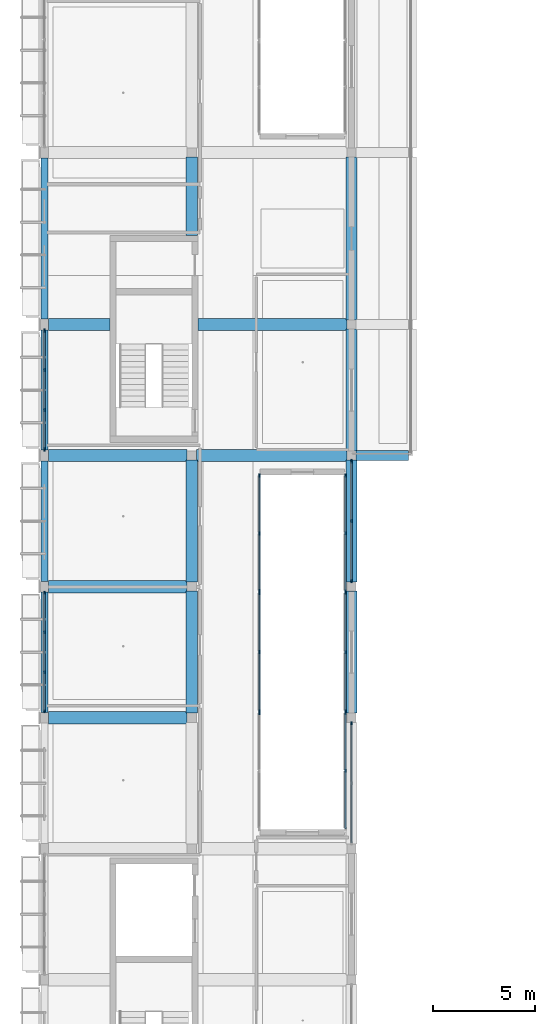
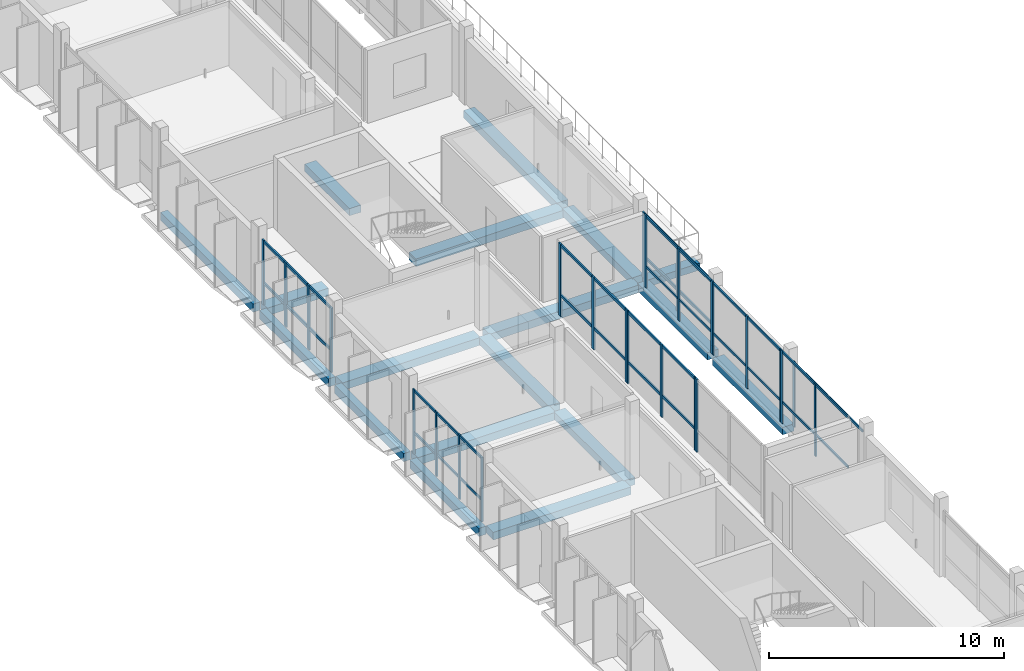
# One storey, part 4 of 48: 44 members, 18 beams, 10 elements without a shape of their own.
"""IFC4 building model written with IfcOpenShell, lengths in metres."""

import ifcopenshell
import ifcopenshell.guid

model = None  # the IFC model being written
_history = None  # IfcOwnerHistory: only IFC2X3 demands one
_inside = {}  # id of a spatial element -> (the spatial element, [elements in it])
_under = {}  # id of a project, library or spatial element -> (it, [spatial elements below it])
_declared = {}  # id of a project -> (the project, [libraries it declares])
_typed = {}  # id of a type object -> (the type object, [elements of that type])
_made_of = {}  # id of a material, layer set ... -> (it, [elements and type objects made of it])


def new_model(schema):
    """Start an empty IFC model of exactly this schema.

    Asked for "IFC4X3", IfcOpenShell would pick the latest addendum, in which some entities
    have other attributes; the version numbers below select the first issue.
    IFC2X3 requires an IfcOwnerHistory on every rooted entity: one is made here for all.
    """
    global model, _history
    if schema == "IFC4X3":
        model = ifcopenshell.file(schema_version=(4, 3, 0, 0))
    else:
        model = ifcopenshell.file(schema=schema)
    _inside.clear()
    _under.clear()
    _declared.clear()
    _typed.clear()
    _made_of.clear()
    _history = None
    if model.schema == "IFC2X3":
        org = make("IfcOrganization", Name="unknown")
        user = make(
            "IfcPersonAndOrganization",
            ThePerson=make("IfcPerson", FamilyName="unknown"),
            TheOrganization=org,
        )
        app = make(
            "IfcApplication",
            ApplicationDeveloper=org,
            Version="unknown",
            ApplicationFullName="unknown",
            ApplicationIdentifier="unknown",
        )
        _history = make(
            "IfcOwnerHistory",
            OwningUser=user,
            OwningApplication=app,
            ChangeAction="ADDED",
            CreationDate=0,
        )
    return model


def make(cls, **values):
    """One entity of the class cls with the attributes given. An attribute that is None is left unset."""
    return model.create_entity(
        cls, **{name: value for name, value in values.items() if value is not None}
    )


def rooted(cls, **values):
    """An entity with a GlobalId (a new one), such as an element, a storey or a relation."""
    return make(cls, GlobalId=ifcopenshell.guid.new(), OwnerHistory=_history, **values)


def si_unit(unit_type, name, prefix=None):
    """IfcSIUnit, for example si_unit("LENGTHUNIT", "METRE", prefix="MILLI")."""
    return make("IfcSIUnit", UnitType=unit_type, Prefix=prefix, Name=name)


def derived_unit(unit_type, elements):
    """IfcDerivedUnit: a product of units, each with its exponent."""
    return make(
        "IfcDerivedUnit",
        Elements=[
            make("IfcDerivedUnitElement", Unit=unit, Exponent=power)
            for unit, power in elements
        ],
        UnitType=unit_type,
    )


def assignment(units):
    """IfcUnitAssignment: the units of a project."""
    return None if units is None else make("IfcUnitAssignment", Units=units)


def point(xyz):
    """IfcCartesianPoint."""
    return None if xyz is None else make("IfcCartesianPoint", Coordinates=xyz)


def direction(xyz):
    """IfcDirection."""
    return None if xyz is None else make("IfcDirection", DirectionRatios=xyz)


def frame(location, z_axis=None, x_axis=None):
    """IfcAxis2Placement3D, a coordinate frame: its origin and axes. An axis left out is left unset."""
    return make(
        "IfcAxis2Placement3D",
        Location=point(location),
        Axis=direction(z_axis),
        RefDirection=direction(x_axis),
    )


def frame_2d(location, x_axis=None):
    """IfcAxis2Placement2D, a coordinate frame in the plane: its origin and x axis."""
    return make(
        "IfcAxis2Placement2D", Location=point(location), RefDirection=direction(x_axis)
    )


def origin():
    """The frame at (0, 0, 0) with its axes left unset."""
    return frame((0.0, 0.0, 0.0))


def origin_2d():
    """The frame at (0, 0) in the plane with its x axis left unset."""
    return frame_2d((0.0, 0.0))


def place(relative_to, where):
    """IfcLocalPlacement: puts the frame where relative to a parent placement (None: the world)."""
    return make(
        "IfcLocalPlacement", PlacementRelTo=relative_to, RelativePlacement=where
    )


def context(
    kind, dimensions, precision=None, world=None, true_north=None, identifier=None
):
    """IfcGeometricRepresentationContext, for example the 3D "Model" context."""
    return make(
        "IfcGeometricRepresentationContext",
        ContextIdentifier=identifier,
        ContextType=kind,
        CoordinateSpaceDimension=dimensions,
        Precision=precision,
        WorldCoordinateSystem=world,
        TrueNorth=true_north,
    )


def subcontext(parent, identifier, kind, view, scale=None):
    """IfcGeometricRepresentationSubContext, for example "Body" below "Model"."""
    return make(
        "IfcGeometricRepresentationSubContext",
        ContextIdentifier=identifier,
        ContextType=kind,
        ParentContext=parent,
        TargetScale=scale,
        TargetView=view,
    )


def project(units=None, contexts=None):
    """IfcProject with its units and contexts."""
    return rooted(
        "IfcProject",
        Name="project",
        RepresentationContexts=contexts,
        UnitsInContext=assignment(units),
    )


def spatial(cls, under=None, at=None, **own):
    """A site, building, storey or space (cls), placed at a placement, below another one or the project."""
    s = rooted(cls, ObjectPlacement=at, **own)
    if under is not None:
        _under.setdefault(under.id(), (under, []))[1].append(s)
    return s


def profile(cls, at=None, kind="AREA", **sizes):
    """A parametric profile (cls). Its sizes go by their IFC names, for example OverallWidth=200.0."""
    return make(cls, ProfileType=kind, Position=at, **sizes)


def rectangle(**sizes):
    """IfcRectangleProfileDef."""
    return profile("IfcRectangleProfileDef", **sizes)


def extrude(swept, where, along, depth):
    """IfcExtrudedAreaSolid: the profile swept, set in the frame where, extruded along a direction by depth."""
    return make(
        "IfcExtrudedAreaSolid",
        SweptArea=swept,
        Position=where,
        ExtrudedDirection=direction(along),
        Depth=depth,
    )


def shape(context_of_items, identifier, shape_type, items):
    """IfcShapeRepresentation: the items that make up one representation, for example the "Body"."""
    return make(
        "IfcShapeRepresentation",
        ContextOfItems=context_of_items,
        RepresentationIdentifier=identifier,
        RepresentationType=shape_type,
        Items=items,
    )


def material(Name=None, Category=None):
    """IfcMaterial."""
    return make("IfcMaterial", Name=Name, Category=Category)


def material_profile(
    of_material, cross_section, Name=None, Category=None, Priority=None
):
    """IfcMaterialProfile: a cross section and its material."""
    return make(
        "IfcMaterialProfile",
        Name=Name,
        Material=of_material,
        Profile=cross_section,
        Priority=Priority,
        Category=Category,
    )


def profile_set(profiles, Name=None, composite=None):
    """IfcMaterialProfileSet."""
    return make(
        "IfcMaterialProfileSet",
        Name=Name,
        MaterialProfiles=profiles,
        CompositeProfile=composite,
    )


def made_of(thing, what):
    """Note that an element or type object is made of a material, layer set ...; save() writes the relation."""
    if what is not None:
        _made_of.setdefault(what.id(), (what, []))[1].append(thing)
    return thing


def type_object(cls, material=None, **own):
    """A type object (cls), such as IfcWallType, which elements share."""
    return made_of(rooted(cls, **own), material)


def element(
    cls,
    number,
    at=None,
    inside=None,
    cuts=None,
    type_object=None,
    material=None,
    context=None,
    identifier="Body",
    shape_type=None,
    held_by="IfcProductDefinitionShape",
    body=None,
    shapes=None,
    **own,
):
    """One element of the class cls, such as IfcWall. Its Tag is "e" and its number.

    at: its placement. inside: the storey or other place that contains it. cuts: it is an
    opening in that element (IfcRelVoidsElement). A single representation is given by context,
    identifier, shape_type and body (its items); several are given by shapes. held_by: the class
    of the entity that holds the representations. save() writes the other relations.
    """
    e = rooted(cls, Tag="e%d" % number, ObjectPlacement=at, **own)
    if body is not None:
        shapes = [shape(context, identifier, shape_type, body)]
    if shapes is not None:
        e.Representation = make(held_by, Representations=shapes)
    if inside is not None:
        _inside.setdefault(inside.id(), (inside, []))[1].append(e)
    if cuts is not None:
        rooted(
            "IfcRelVoidsElement", RelatingBuildingElement=cuts, RelatedOpeningElement=e
        )
    if type_object is not None:
        _typed.setdefault(type_object.id(), (type_object, []))[1].append(e)
    return made_of(e, material)


def aggregate(whole, parts):
    """IfcRelAggregates: a whole, such as a stair, and the parts it consists of."""
    return rooted("IfcRelAggregates", RelatingObject=whole, RelatedObjects=parts)


def save(model, path):
    """Write the relations noted so far, then the file.

    IfcRelAggregates (storeys below a building ...), IfcRelContainedInSpatialStructure (elements
    in a storey), IfcRelDefinesByType, IfcRelAssociatesMaterial and IfcRelDeclares: one each for
    every whole, place, type object, material and project.
    """
    for whole, parts in _under.values():
        aggregate(whole, parts)
    for where, things in _inside.values():
        rooted(
            "IfcRelContainedInSpatialStructure",
            RelatedElements=things,
            RelatingStructure=where,
        )
    for kind, things in _typed.values():
        rooted("IfcRelDefinesByType", RelatedObjects=things, RelatingType=kind)
    for what, things in _made_of.values():
        rooted("IfcRelAssociatesMaterial", RelatedObjects=things, RelatingMaterial=what)
    for by, libraries in _declared.values():
        rooted("IfcRelDeclares", RelatingContext=by, RelatedDefinitions=libraries)
    model.write(path)


model = new_model("IFC4")

# Units and contexts
model_context = context("Model", 3, precision=1e-05, world=origin(), true_north=direction((0.0, 1.0)))
body_context = subcontext(model_context, "Body", "Model", "MODEL_VIEW")
ifc_project = project(units=[si_unit("LENGTHUNIT", "METRE"), si_unit("AREAUNIT", "SQUARE_METRE"), si_unit("VOLUMEUNIT", "CUBIC_METRE"), si_unit("PLANEANGLEUNIT", "RADIAN"), si_unit("MASSUNIT", "GRAM", prefix="KILO"), derived_unit("THERMALTRANSMITTANCEUNIT", [(si_unit("POWERUNIT", "WATT"), 1), (si_unit("LENGTHUNIT", "METRE"), -2), (si_unit("THERMODYNAMICTEMPERATUREUNIT", "KELVIN"), -1)])], contexts=[model_context])

# Site, building, storey
site_placement = place(None, origin())
site = spatial("IfcSite", under=ifc_project, at=site_placement, CompositionType="ELEMENT")
building_placement = place(site_placement, origin())
building = spatial("IfcBuilding", under=site, at=building_placement, Name="Braskholm Square Health Centre", CompositionType="ELEMENT")
storey_placement = place(building_placement, frame((0.0, 0.0, 17.550048828125)))
storey = spatial("IfcBuildingStorey", under=building, at=storey_placement, Name="L05", CompositionType="ELEMENT", Elevation=17.550048828125)

# Curtain wall, members
ifc_material_1 = material(Name="Low-E triple insulating glass (VLT 0.64)", Category="glass")
curtain_wall_type_1 = type_object("IfcCurtainWallType", Name="UnitisedCurtainWall6200x3650", PredefinedType="NOTDEFINED", material=ifc_material_1)
curtain_wall_1_placement = place(storey_placement, origin())
curtain_wall_1 = element("IfcCurtainWall", 1, at=curtain_wall_1_placement, inside=storey, type_object=curtain_wall_type_1, Name="West Outer unitised curtain wall CW-L05-0032", PredefinedType="NOTDEFINED")
ifc_material_2 = material(Name="Architectural bronze anodised aluminium", Category="aluminium")
ifc_material_profile_1 = material_profile(ifc_material_2, rectangle(XDim=0.06494140625, YDim=0.14990234375, at=origin_2d()), Name="ALU-65X150")
ifc_profile_set_1 = profile_set([ifc_material_profile_1], Name="Architectural bronze anodised aluminium")
member_type_1 = type_object("IfcMemberType", Name="CurtainWallMullion65x150", PredefinedType="MULLION", material=ifc_profile_set_1)
member_1_placement = place(storey_placement, frame((4.199951171875, 42.294921875, 0.0), z_axis=(0.0, 0.0, 1.0), x_axis=(1.0, 0.0, 0.0)))
member_1 = element("IfcMember", 2, at=member_1_placement, type_object=member_type_1, Name="CW-L05-0032 vertical mullion 1", PredefinedType="MULLION", context=body_context, shape_type="SweptSolid", body=[
    extrude(rectangle(XDim=0.06494140625, YDim=0.14990234375, at=origin_2d()), origin(), (0.0, 0.0, 1.0), 3.349853515625),
])
member_2_placement = place(storey_placement, frame((4.199951171875, 40.376708984375, 0.0), z_axis=(0.0, 0.0, 1.0), x_axis=(1.0, 0.0, 0.0)))
member_2 = element("IfcMember", 3, at=member_2_placement, type_object=member_type_1, Name="CW-L05-0032 vertical mullion 2", PredefinedType="MULLION", context=body_context, shape_type="SweptSolid", body=[
    extrude(rectangle(XDim=0.06494140625, YDim=0.14990234375, at=origin_2d()), origin(), (0.0, 0.0, 1.0), 3.349853515625),
])
member_3_placement = place(storey_placement, frame((4.199951171875, 38.42333984375, 0.0), z_axis=(0.0, 0.0, 1.0), x_axis=(1.0, 0.0, 0.0)))
member_3 = element("IfcMember", 4, at=member_3_placement, type_object=member_type_1, Name="CW-L05-0032 vertical mullion 3", PredefinedType="MULLION", context=body_context, shape_type="SweptSolid", body=[
    extrude(rectangle(XDim=0.06494140625, YDim=0.14990234375, at=origin_2d()), origin(), (0.0, 0.0, 1.0), 3.349853515625),
])
member_4_placement = place(storey_placement, frame((4.199951171875, 36.505126953125, 0.0), z_axis=(0.0, 0.0, 1.0), x_axis=(1.0, 0.0, 0.0)))
member_4 = element("IfcMember", 5, at=member_4_placement, type_object=member_type_1, Name="CW-L05-0032 vertical mullion 4", PredefinedType="MULLION", context=body_context, shape_type="SweptSolid", body=[
    extrude(rectangle(XDim=0.06494140625, YDim=0.14990234375, at=origin_2d()), origin(), (0.0, 0.0, 1.0), 3.349853515625),
])

# Curtain wall, member
curtain_wall_2_placement = place(storey_placement, origin())
curtain_wall_2 = element("IfcCurtainWall", 6, at=curtain_wall_2_placement, inside=storey, type_object=curtain_wall_type_1, Name="West Valley unitised curtain wall CW-L05-0104", PredefinedType="NOTDEFINED")
member_5_placement = place(storey_placement, frame((19.199951171875, 35.924560546875, 0.0), z_axis=(0.0, 0.0, 1.0), x_axis=(1.0, 0.0, 0.0)))
member_5 = element("IfcMember", 7, at=member_5_placement, type_object=member_type_1, Name="CW-L05-0104 vertical mullion 3", PredefinedType="MULLION", context=body_context, shape_type="SweptSolid", body=[
    extrude(rectangle(XDim=0.06494140625, YDim=0.14990234375, at=origin_2d()), origin(), (0.0, 0.0, 1.0), 3.389892578125),
])

# Curtain wall, members
curtain_wall_type_2 = type_object("IfcCurtainWallType", Name="UnitisedCurtainWall5400x3800", PredefinedType="NOTDEFINED", material=ifc_material_1)
curtain_wall_3_placement = place(storey_placement, origin())
curtain_wall_3 = element("IfcCurtainWall", 8, at=curtain_wall_3_placement, inside=storey, type_object=curtain_wall_type_2, Name="WC1 Court E unitised curtain wall CW-L05-0274", PredefinedType="NOTDEFINED")
member_6_placement = place(storey_placement, frame((18.89990234375, 36.427734375, 0.0), z_axis=(0.0, 0.0, 1.0), x_axis=(1.0, 0.0, 0.0)))
member_6 = element("IfcMember", 9, at=member_6_placement, type_object=member_type_1, Name="CW-L05-0274 vertical mullion 1", PredefinedType="MULLION", context=body_context, shape_type="SweptSolid", body=[
    extrude(rectangle(XDim=0.06494140625, YDim=0.14990234375, at=origin_2d()), origin(), (0.0, 0.0, 1.0), 3.77001953125),
])
member_7_placement = place(storey_placement, frame((18.89990234375, 33.60107421875, 0.0), z_axis=(0.0, 0.0, 1.0), x_axis=(1.0, 0.0, 0.0)))
member_7 = element("IfcMember", 10, at=member_7_placement, type_object=member_type_1, Name="CW-L05-0274 vertical mullion 2", PredefinedType="MULLION", context=body_context, shape_type="SweptSolid", body=[
    extrude(rectangle(XDim=0.06494140625, YDim=0.14990234375, at=origin_2d()), origin(), (0.0, 0.0, 1.0), 3.77001953125),
])

curtain_wall_type_3 = type_object("IfcCurtainWallType", Name="UnitisedCurtainWall6200x3800", PredefinedType="NOTDEFINED", material=ifc_material_1)
curtain_wall_4_placement = place(storey_placement, origin())
curtain_wall_4 = element("IfcCurtainWall", 11, at=curtain_wall_4_placement, inside=storey, type_object=curtain_wall_type_3, Name="WC1 Court E unitised curtain wall CW-L05-0276", PredefinedType="NOTDEFINED")
member_8_placement = place(storey_placement, frame((18.89990234375, 42.29296875, 0.0), z_axis=(0.0, 0.0, 1.0), x_axis=(1.0, 0.0, 0.0)))
member_8 = element("IfcMember", 12, at=member_8_placement, type_object=member_type_1, Name="CW-L05-0276 vertical mullion 1", PredefinedType="MULLION", context=body_context, shape_type="SweptSolid", body=[
    extrude(rectangle(XDim=0.06494140625, YDim=0.14990234375, at=origin_2d()), origin(), (0.0, 0.0, 1.0), 3.77001953125),
])
member_9_placement = place(storey_placement, frame((18.89990234375, 39.39990234375, 0.0), z_axis=(0.0, 0.0, 1.0), x_axis=(1.0, 0.0, 0.0)))
member_9 = element("IfcMember", 13, at=member_9_placement, type_object=member_type_1, Name="CW-L05-0276 vertical mullion 2", PredefinedType="MULLION", context=body_context, shape_type="SweptSolid", body=[
    extrude(rectangle(XDim=0.06494140625, YDim=0.14990234375, at=origin_2d()), origin(), (0.0, 0.0, 1.0), 3.77001953125),
])
member_10_placement = place(storey_placement, frame((18.89990234375, 36.507080078125, 0.0), z_axis=(0.0, 0.0, 1.0), x_axis=(1.0, 0.0, 0.0)))
member_10 = element("IfcMember", 14, at=member_10_placement, type_object=member_type_1, Name="CW-L05-0276 vertical mullion 3", PredefinedType="MULLION", context=body_context, shape_type="SweptSolid", body=[
    extrude(rectangle(XDim=0.06494140625, YDim=0.14990234375, at=origin_2d()), origin(), (0.0, 0.0, 1.0), 3.77001953125),
])

curtain_wall_5_placement = place(storey_placement, origin())
curtain_wall_5 = element("IfcCurtainWall", 15, at=curtain_wall_5_placement, inside=storey, type_object=curtain_wall_type_2, Name="WC1 Court E unitised curtain wall CW-L05-0278", PredefinedType="NOTDEFINED")
member_11_placement = place(storey_placement, frame((18.89990234375, 48.025634765625, 0.0), z_axis=(0.0, 0.0, 1.0), x_axis=(1.0, 0.0, 0.0)))
member_11 = element("IfcMember", 16, at=member_11_placement, type_object=member_type_1, Name="CW-L05-0278 vertical mullion 1", PredefinedType="MULLION", context=body_context, shape_type="SweptSolid", body=[
    extrude(rectangle(XDim=0.06494140625, YDim=0.14990234375, at=origin_2d()), origin(), (0.0, 0.0, 1.0), 3.77001953125),
])
member_12_placement = place(storey_placement, frame((18.89990234375, 45.198974609375, 0.0), z_axis=(0.0, 0.0, 1.0), x_axis=(1.0, 0.0, 0.0)))
member_12 = element("IfcMember", 17, at=member_12_placement, type_object=member_type_1, Name="CW-L05-0278 vertical mullion 2", PredefinedType="MULLION", context=body_context, shape_type="SweptSolid", body=[
    extrude(rectangle(XDim=0.06494140625, YDim=0.14990234375, at=origin_2d()), origin(), (0.0, 0.0, 1.0), 3.77001953125),
])
member_13_placement = place(storey_placement, frame((18.89990234375, 42.372314453125, 0.0), z_axis=(0.0, 0.0, 1.0), x_axis=(1.0, 0.0, 0.0)))
member_13 = element("IfcMember", 18, at=member_13_placement, type_object=member_type_1, Name="CW-L05-0278 vertical mullion 3", PredefinedType="MULLION", context=body_context, shape_type="SweptSolid", body=[
    extrude(rectangle(XDim=0.06494140625, YDim=0.14990234375, at=origin_2d()), origin(), (0.0, 0.0, 1.0), 3.77001953125),
])

curtain_wall_6_placement = place(storey_placement, origin())
curtain_wall_6 = element("IfcCurtainWall", 19, at=curtain_wall_6_placement, inside=storey, type_object=curtain_wall_type_1, Name="West Outer unitised curtain wall CW-L05-0033", PredefinedType="NOTDEFINED")
ifc_material_profile_2 = material_profile(ifc_material_2, rectangle(XDim=0.074951171875, YDim=0.179931640625, at=origin_2d()), Name="ALU-75X180")
ifc_profile_set_2 = profile_set([ifc_material_profile_2], Name="Architectural bronze anodised aluminium")
member_type_2 = type_object("IfcMemberType", Name="CurtainWallMullion75x180", PredefinedType="MULLION", material=ifc_profile_set_2)
member_14_placement = place(storey_placement, frame((4.199951171875, 55.0947265625, 0.0), z_axis=(0.0, 0.0, 1.0), x_axis=(1.0, 0.0, 0.0)))
member_14 = element("IfcMember", 20, at=member_14_placement, type_object=member_type_2, Name="CW-L05-0033 vertical mullion 1", PredefinedType="MULLION", context=body_context, shape_type="SweptSolid", body=[
    extrude(rectangle(XDim=0.074951171875, YDim=0.179931640625, at=origin_2d()), origin(), (0.0, 0.0, 1.0), 3.349853515625),
])
member_15_placement = place(storey_placement, frame((4.199951171875, 53.1767578125, 0.0), z_axis=(0.0, 0.0, 1.0), x_axis=(1.0, 0.0, 0.0)))
member_15 = element("IfcMember", 21, at=member_15_placement, type_object=member_type_2, Name="CW-L05-0033 vertical mullion 2", PredefinedType="MULLION", context=body_context, shape_type="SweptSolid", body=[
    extrude(rectangle(XDim=0.074951171875, YDim=0.179931640625, at=origin_2d()), origin(), (0.0, 0.0, 1.0), 3.349853515625),
])
member_16_placement = place(storey_placement, frame((4.199951171875, 51.223388671875, 0.0), z_axis=(0.0, 0.0, 1.0), x_axis=(1.0, 0.0, 0.0)))
member_16 = element("IfcMember", 22, at=member_16_placement, type_object=member_type_2, Name="CW-L05-0033 vertical mullion 3", PredefinedType="MULLION", context=body_context, shape_type="SweptSolid", body=[
    extrude(rectangle(XDim=0.074951171875, YDim=0.179931640625, at=origin_2d()), origin(), (0.0, 0.0, 1.0), 3.349853515625),
])
member_17_placement = place(storey_placement, frame((4.199951171875, 49.30517578125, 0.0), z_axis=(0.0, 0.0, 1.0), x_axis=(1.0, 0.0, 0.0)))
member_17 = element("IfcMember", 23, at=member_17_placement, type_object=member_type_2, Name="CW-L05-0033 vertical mullion 4", PredefinedType="MULLION", context=body_context, shape_type="SweptSolid", body=[
    extrude(rectangle(XDim=0.074951171875, YDim=0.179931640625, at=origin_2d()), origin(), (0.0, 0.0, 1.0), 3.349853515625),
])

curtain_wall_7_placement = place(storey_placement, origin())
curtain_wall_7 = element("IfcCurtainWall", 24, at=curtain_wall_7_placement, inside=storey, type_object=curtain_wall_type_1, Name="West Valley unitised curtain wall CW-L05-0105", PredefinedType="NOTDEFINED")
member_18_placement = place(storey_placement, frame((19.199951171875, 42.87548828125, 0.0), z_axis=(0.0, 0.0, 1.0), x_axis=(1.0, 0.0, 0.0)))
member_18 = element("IfcMember", 25, at=member_18_placement, type_object=member_type_2, Name="CW-L05-0105 vertical mullion 1", PredefinedType="MULLION", context=body_context, shape_type="SweptSolid", body=[
    extrude(rectangle(XDim=0.074951171875, YDim=0.179931640625, at=origin_2d()), origin(), (0.0, 0.0, 1.0), 3.389892578125),
])
member_19_placement = place(storey_placement, frame((19.199951171875, 45.800048828125, 0.0), z_axis=(0.0, 0.0, 1.0), x_axis=(1.0, 0.0, 0.0)))
member_19 = element("IfcMember", 26, at=member_19_placement, type_object=member_type_2, Name="CW-L05-0105 vertical mullion 2", PredefinedType="MULLION", context=body_context, shape_type="SweptSolid", body=[
    extrude(rectangle(XDim=0.074951171875, YDim=0.179931640625, at=origin_2d()), origin(), (0.0, 0.0, 1.0), 3.389892578125),
])
member_20_placement = place(storey_placement, frame((19.199951171875, 48.724609375, 0.0), z_axis=(0.0, 0.0, 1.0), x_axis=(1.0, 0.0, 0.0)))
member_20 = element("IfcMember", 27, at=member_20_placement, type_object=member_type_2, Name="CW-L05-0105 vertical mullion 3", PredefinedType="MULLION", context=body_context, shape_type="SweptSolid", body=[
    extrude(rectangle(XDim=0.074951171875, YDim=0.179931640625, at=origin_2d()), origin(), (0.0, 0.0, 1.0), 3.389892578125),
])

# Curtain wall, member
curtain_wall_8_placement = place(storey_placement, origin())
curtain_wall_8 = element("IfcCurtainWall", 28, at=curtain_wall_8_placement, inside=storey, type_object=curtain_wall_type_2, Name="WC1 Court W unitised curtain wall CW-L05-0273", PredefinedType="NOTDEFINED")
member_21_placement = place(storey_placement, frame((14.699951171875, 36.427734375, 0.0), z_axis=(0.0, 0.0, 1.0), x_axis=(1.0, 0.0, 0.0)))
member_21 = element("IfcMember", 29, at=member_21_placement, type_object=member_type_2, Name="CW-L05-0273 vertical mullion 3", PredefinedType="MULLION", context=body_context, shape_type="SweptSolid", body=[
    extrude(rectangle(XDim=0.074951171875, YDim=0.179931640625, at=origin_2d()), origin(), (0.0, 0.0, 1.0), 3.77001953125),
])
aggregate(curtain_wall_8, [member_21])

# Curtain wall, members
curtain_wall_9_placement = place(storey_placement, origin())
curtain_wall_9 = element("IfcCurtainWall", 30, at=curtain_wall_9_placement, inside=storey, type_object=curtain_wall_type_3, Name="WC1 Court W unitised curtain wall CW-L05-0275", PredefinedType="NOTDEFINED")
member_22_placement = place(storey_placement, frame((14.699951171875, 36.507080078125, 0.0), z_axis=(0.0, 0.0, 1.0), x_axis=(1.0, 0.0, 0.0)))
member_22 = element("IfcMember", 31, at=member_22_placement, type_object=member_type_2, Name="CW-L05-0275 vertical mullion 1", PredefinedType="MULLION", context=body_context, shape_type="SweptSolid", body=[
    extrude(rectangle(XDim=0.074951171875, YDim=0.179931640625, at=origin_2d()), origin(), (0.0, 0.0, 1.0), 3.77001953125),
])
member_23_placement = place(storey_placement, frame((14.699951171875, 39.39990234375, 0.0), z_axis=(0.0, 0.0, 1.0), x_axis=(1.0, 0.0, 0.0)))
member_23 = element("IfcMember", 32, at=member_23_placement, type_object=member_type_2, Name="CW-L05-0275 vertical mullion 2", PredefinedType="MULLION", context=body_context, shape_type="SweptSolid", body=[
    extrude(rectangle(XDim=0.074951171875, YDim=0.179931640625, at=origin_2d()), origin(), (0.0, 0.0, 1.0), 3.77001953125),
])
member_24_placement = place(storey_placement, frame((14.699951171875, 42.29296875, 0.0), z_axis=(0.0, 0.0, 1.0), x_axis=(1.0, 0.0, 0.0)))
member_24 = element("IfcMember", 33, at=member_24_placement, type_object=member_type_2, Name="CW-L05-0275 vertical mullion 3", PredefinedType="MULLION", context=body_context, shape_type="SweptSolid", body=[
    extrude(rectangle(XDim=0.074951171875, YDim=0.179931640625, at=origin_2d()), origin(), (0.0, 0.0, 1.0), 3.77001953125),
])

curtain_wall_10_placement = place(storey_placement, origin())
curtain_wall_10 = element("IfcCurtainWall", 34, at=curtain_wall_10_placement, inside=storey, type_object=curtain_wall_type_2, Name="WC1 Court W unitised curtain wall CW-L05-0277", PredefinedType="NOTDEFINED")
member_25_placement = place(storey_placement, frame((14.699951171875, 42.372314453125, 0.0), z_axis=(0.0, 0.0, 1.0), x_axis=(1.0, 0.0, 0.0)))
member_25 = element("IfcMember", 35, at=member_25_placement, type_object=member_type_2, Name="CW-L05-0277 vertical mullion 1", PredefinedType="MULLION", context=body_context, shape_type="SweptSolid", body=[
    extrude(rectangle(XDim=0.074951171875, YDim=0.179931640625, at=origin_2d()), origin(), (0.0, 0.0, 1.0), 3.77001953125),
])
member_26_placement = place(storey_placement, frame((14.699951171875, 45.198974609375, 0.0), z_axis=(0.0, 0.0, 1.0), x_axis=(1.0, 0.0, 0.0)))
member_26 = element("IfcMember", 36, at=member_26_placement, type_object=member_type_2, Name="CW-L05-0277 vertical mullion 2", PredefinedType="MULLION", context=body_context, shape_type="SweptSolid", body=[
    extrude(rectangle(XDim=0.074951171875, YDim=0.179931640625, at=origin_2d()), origin(), (0.0, 0.0, 1.0), 3.77001953125),
])
member_27_placement = place(storey_placement, frame((14.699951171875, 48.025634765625, 0.0), z_axis=(0.0, 0.0, 1.0), x_axis=(1.0, 0.0, 0.0)))
member_27 = element("IfcMember", 37, at=member_27_placement, type_object=member_type_2, Name="CW-L05-0277 vertical mullion 3", PredefinedType="MULLION", context=body_context, shape_type="SweptSolid", body=[
    extrude(rectangle(XDim=0.074951171875, YDim=0.179931640625, at=origin_2d()), origin(), (0.0, 0.0, 1.0), 3.77001953125),
])

# Member
ifc_material_profile_3 = material_profile(ifc_material_2, rectangle(XDim=0.06494140625, YDim=0.1201171875, at=origin_2d()), Name="ALU-65X120")
ifc_profile_set_3 = profile_set([ifc_material_profile_3], Name="Architectural bronze anodised aluminium")
member_type_3 = type_object("IfcMemberType", Name="CurtainWallTransom65x120", PredefinedType="USERDEFINED", material=ifc_profile_set_3)
member_28_placement = place(storey_placement, frame((4.199951171875, 42.284912109375, 1.119873046875), z_axis=(0.0, -1.0, 0.0), x_axis=(1.0, 0.0, 0.0)))
member_28 = element("IfcMember", 38, at=member_28_placement, type_object=member_type_3, Name="CW-L05-0032 horizontal transom 1", ObjectType="TRANSOM", PredefinedType="USERDEFINED", context=body_context, shape_type="SweptSolid", body=[
    extrude(rectangle(XDim=0.06494140625, YDim=0.1201171875, at=origin_2d()), origin(), (0.0, 0.0, 1.0), 5.77001953125),
])

member_29_placement = place(storey_placement, frame((4.199951171875, 42.284912109375, 3.280029296875), z_axis=(0.0, -1.0, 0.0), x_axis=(1.0, 0.0, 0.0)))
member_29 = element("IfcMember", 39, at=member_29_placement, type_object=member_type_3, Name="CW-L05-0032 horizontal transom 2", ObjectType="TRANSOM", PredefinedType="USERDEFINED", context=body_context, shape_type="SweptSolid", body=[
    extrude(rectangle(XDim=0.06494140625, YDim=0.1201171875, at=origin_2d()), origin(), (0.0, 0.0, 1.0), 5.77001953125),
])

aggregate(curtain_wall_1, [member_1, member_2, member_3, member_4, member_28, member_29])

member_30_placement = place(storey_placement, frame((19.199951171875, 30.0849609375, 3.320068359375), z_axis=(0.0, 1.0, 0.0), x_axis=(-1.0, 0.0, 0.0)))
member_30 = element("IfcMember", 40, at=member_30_placement, type_object=member_type_3, Name="CW-L05-0104 horizontal transom 2", ObjectType="TRANSOM", PredefinedType="USERDEFINED", context=body_context, shape_type="SweptSolid", body=[
    extrude(rectangle(XDim=0.06494140625, YDim=0.1201171875, at=origin_2d()), origin(), (0.0, 0.0, 1.0), 5.830078125),
])

aggregate(curtain_wall_2, [member_5, member_30])

member_31_placement = place(storey_placement, frame((18.89990234375, 36.4169921875, 1.119873046875), z_axis=(0.0, -1.0, 0.0), x_axis=(1.0, 0.0, 0.0)))
member_31 = element("IfcMember", 41, at=member_31_placement, type_object=member_type_3, Name="CW-L05-0274 horizontal transom 1", ObjectType="TRANSOM", PredefinedType="USERDEFINED", context=body_context, shape_type="SweptSolid", body=[
    extrude(rectangle(XDim=0.06494140625, YDim=0.1201171875, at=origin_2d()), origin(), (0.0, 0.0, 1.0), 5.632080078125),
])

member_32_placement = place(storey_placement, frame((18.89990234375, 36.4169921875, 3.699951171875), z_axis=(0.0, -1.0, 0.0), x_axis=(1.0, 0.0, 0.0)))
member_32 = element("IfcMember", 42, at=member_32_placement, type_object=member_type_3, Name="CW-L05-0274 horizontal transom 2", ObjectType="TRANSOM", PredefinedType="USERDEFINED", context=body_context, shape_type="SweptSolid", body=[
    extrude(rectangle(XDim=0.06494140625, YDim=0.1201171875, at=origin_2d()), origin(), (0.0, 0.0, 1.0), 5.632080078125),
])

aggregate(curtain_wall_3, [member_6, member_7, member_31, member_32])

member_33_placement = place(storey_placement, frame((18.89990234375, 42.282958984375, 1.119873046875), z_axis=(0.0, -1.0, 0.0), x_axis=(1.0, 0.0, 0.0)))
member_33 = element("IfcMember", 43, at=member_33_placement, type_object=member_type_3, Name="CW-L05-0276 horizontal transom 1", ObjectType="TRANSOM", PredefinedType="USERDEFINED", context=body_context, shape_type="SweptSolid", body=[
    extrude(rectangle(XDim=0.06494140625, YDim=0.1201171875, at=origin_2d()), origin(), (0.0, 0.0, 1.0), 5.765869140625),
])

member_34_placement = place(storey_placement, frame((18.89990234375, 42.282958984375, 3.699951171875), z_axis=(0.0, -1.0, 0.0), x_axis=(1.0, 0.0, 0.0)))
member_34 = element("IfcMember", 44, at=member_34_placement, type_object=member_type_3, Name="CW-L05-0276 horizontal transom 2", ObjectType="TRANSOM", PredefinedType="USERDEFINED", context=body_context, shape_type="SweptSolid", body=[
    extrude(rectangle(XDim=0.06494140625, YDim=0.1201171875, at=origin_2d()), origin(), (0.0, 0.0, 1.0), 5.765869140625),
])

aggregate(curtain_wall_4, [member_8, member_9, member_10, member_33, member_34])

member_35_placement = place(storey_placement, frame((18.89990234375, 48.014892578125, 1.119873046875), z_axis=(0.0, -1.0, 0.0), x_axis=(1.0, 0.0, 0.0)))
member_35 = element("IfcMember", 45, at=member_35_placement, type_object=member_type_3, Name="CW-L05-0278 horizontal transom 1", ObjectType="TRANSOM", PredefinedType="USERDEFINED", context=body_context, shape_type="SweptSolid", body=[
    extrude(rectangle(XDim=0.06494140625, YDim=0.1201171875, at=origin_2d()), origin(), (0.0, 0.0, 1.0), 5.6318359375),
])

member_36_placement = place(storey_placement, frame((18.89990234375, 48.014892578125, 3.699951171875), z_axis=(0.0, -1.0, 0.0), x_axis=(1.0, 0.0, 0.0)))
member_36 = element("IfcMember", 46, at=member_36_placement, type_object=member_type_3, Name="CW-L05-0278 horizontal transom 2", ObjectType="TRANSOM", PredefinedType="USERDEFINED", context=body_context, shape_type="SweptSolid", body=[
    extrude(rectangle(XDim=0.06494140625, YDim=0.1201171875, at=origin_2d()), origin(), (0.0, 0.0, 1.0), 5.6318359375),
])

aggregate(curtain_wall_5, [member_11, member_12, member_13, member_35, member_36])

ifc_material_profile_4 = material_profile(ifc_material_2, rectangle(XDim=0.074951171875, YDim=0.139892578125, at=origin_2d()), Name="ALU-75X140")
ifc_profile_set_4 = profile_set([ifc_material_profile_4], Name="Architectural bronze anodised aluminium")
member_type_4 = type_object("IfcMemberType", Name="CurtainWallTransom75x140", PredefinedType="USERDEFINED", material=ifc_profile_set_4)
member_37_placement = place(storey_placement, frame((4.199951171875, 55.0849609375, 1.119873046875), z_axis=(0.0, -1.0, 0.0), x_axis=(1.0, 0.0, 0.0)))
member_37 = element("IfcMember", 47, at=member_37_placement, type_object=member_type_4, Name="CW-L05-0033 horizontal transom 1", ObjectType="TRANSOM", PredefinedType="USERDEFINED", context=body_context, shape_type="SweptSolid", body=[
    extrude(rectangle(XDim=0.074951171875, YDim=0.139892578125, at=origin_2d()), origin(), (0.0, 0.0, 1.0), 5.77001953125),
])

member_38_placement = place(storey_placement, frame((4.199951171875, 55.0849609375, 3.280029296875), z_axis=(0.0, -1.0, 0.0), x_axis=(1.0, 0.0, 0.0)))
member_38 = element("IfcMember", 48, at=member_38_placement, type_object=member_type_4, Name="CW-L05-0033 horizontal transom 2", ObjectType="TRANSOM", PredefinedType="USERDEFINED", context=body_context, shape_type="SweptSolid", body=[
    extrude(rectangle(XDim=0.074951171875, YDim=0.139892578125, at=origin_2d()), origin(), (0.0, 0.0, 1.0), 5.77001953125),
])

aggregate(curtain_wall_6, [member_14, member_15, member_16, member_17, member_37, member_38])

member_39_placement = place(storey_placement, frame((19.199951171875, 42.885009765625, 1.119873046875), z_axis=(0.0, 1.0, 0.0), x_axis=(-1.0, 0.0, 0.0)))
member_39 = element("IfcMember", 49, at=member_39_placement, type_object=member_type_4, Name="CW-L05-0105 horizontal transom 1", ObjectType="TRANSOM", PredefinedType="USERDEFINED", context=body_context, shape_type="SweptSolid", body=[
    extrude(rectangle(XDim=0.074951171875, YDim=0.139892578125, at=origin_2d()), origin(), (0.0, 0.0, 1.0), 5.830078125),
])

member_40_placement = place(storey_placement, frame((19.199951171875, 42.885009765625, 3.320068359375), z_axis=(0.0, 1.0, 0.0), x_axis=(-1.0, 0.0, 0.0)))
member_40 = element("IfcMember", 50, at=member_40_placement, type_object=member_type_4, Name="CW-L05-0105 horizontal transom 2", ObjectType="TRANSOM", PredefinedType="USERDEFINED", context=body_context, shape_type="SweptSolid", body=[
    extrude(rectangle(XDim=0.074951171875, YDim=0.139892578125, at=origin_2d()), origin(), (0.0, 0.0, 1.0), 5.830078125),
])

aggregate(curtain_wall_7, [member_18, member_19, member_20, member_39, member_40])

member_41_placement = place(storey_placement, frame((14.699951171875, 36.51708984375, 1.119873046875), z_axis=(0.0, 1.0, 0.0), x_axis=(-1.0, 0.0, 0.0)))
member_41 = element("IfcMember", 51, at=member_41_placement, type_object=member_type_4, Name="CW-L05-0275 horizontal transom 1", ObjectType="TRANSOM", PredefinedType="USERDEFINED", context=body_context, shape_type="SweptSolid", body=[
    extrude(rectangle(XDim=0.074951171875, YDim=0.139892578125, at=origin_2d()), origin(), (0.0, 0.0, 1.0), 5.765869140625),
])

member_42_placement = place(storey_placement, frame((14.699951171875, 36.51708984375, 3.699951171875), z_axis=(0.0, 1.0, 0.0), x_axis=(-1.0, 0.0, 0.0)))
member_42 = element("IfcMember", 52, at=member_42_placement, type_object=member_type_4, Name="CW-L05-0275 horizontal transom 2", ObjectType="TRANSOM", PredefinedType="USERDEFINED", context=body_context, shape_type="SweptSolid", body=[
    extrude(rectangle(XDim=0.074951171875, YDim=0.139892578125, at=origin_2d()), origin(), (0.0, 0.0, 1.0), 5.765869140625),
])

aggregate(curtain_wall_9, [member_22, member_23, member_24, member_41, member_42])

member_43_placement = place(storey_placement, frame((14.699951171875, 42.383056640625, 1.119873046875), z_axis=(0.0, 1.0, 0.0), x_axis=(-1.0, 0.0, 0.0)))
member_43 = element("IfcMember", 53, at=member_43_placement, type_object=member_type_4, Name="CW-L05-0277 horizontal transom 1", ObjectType="TRANSOM", PredefinedType="USERDEFINED", context=body_context, shape_type="SweptSolid", body=[
    extrude(rectangle(XDim=0.074951171875, YDim=0.139892578125, at=origin_2d()), origin(), (0.0, 0.0, 1.0), 5.6318359375),
])

member_44_placement = place(storey_placement, frame((14.699951171875, 42.383056640625, 3.699951171875), z_axis=(0.0, 1.0, 0.0), x_axis=(-1.0, 0.0, 0.0)))
member_44 = element("IfcMember", 54, at=member_44_placement, type_object=member_type_4, Name="CW-L05-0277 horizontal transom 2", ObjectType="TRANSOM", PredefinedType="USERDEFINED", context=body_context, shape_type="SweptSolid", body=[
    extrude(rectangle(XDim=0.074951171875, YDim=0.139892578125, at=origin_2d()), origin(), (0.0, 0.0, 1.0), 5.6318359375),
])

aggregate(curtain_wall_10, [member_25, member_26, member_27, member_43, member_44])

# Beams
ifc_material_3 = material(Name="Concrete C35/45 (f'c = 35 MPa)", Category="concrete")
ifc_material_profile_5 = material_profile(ifc_material_3, rectangle(XDim=0.5, YDim=0.360107421875, at=origin_2d()), Name="RCB-500X360")
ifc_profile_set_5 = profile_set([ifc_material_profile_5], Name="Concrete C35/45 (f'c = 35 MPa)")
beam_type_1 = type_object("IfcBeamType", Name="PrimaryBandBeam500x360", PredefinedType="BEAM", material=ifc_profile_set_5)
beam_1_placement = place(storey_placement, frame((19.425048828125, 49.0, -0.429931640625), z_axis=(1.0, 0.0, 0.0), x_axis=(0.0, 1.0, 0.0)))
element("IfcBeam", 55, at=beam_1_placement, inside=storey, type_object=beam_type_1, Name="Beam 3-4/H L05", PredefinedType="BEAM", context=body_context, shape_type="SweptSolid", body=[
    extrude(rectangle(XDim=0.5, YDim=0.360107421875, at=origin_2d()), origin(), (0.0, 0.0, 1.0), 2.550048828125),
])
ifc_material_profile_6 = material_profile(ifc_material_3, rectangle(XDim=0.550048828125, YDim=0.3798828125, at=origin_2d()), Name="RCB-550X380")
ifc_profile_set_6 = profile_set([ifc_material_profile_6], Name="Concrete C35/45 (f'c = 35 MPa)")
beam_type_2 = type_object("IfcBeamType", Name="PrimaryBandBeam550x380", PredefinedType="BEAM", material=ifc_profile_set_6)
for number, where, z_axis, x_axis, name in (
    (56, (11.39990234375, 36.425048828125, -0.489990234375), (0.0, 1.0, 0.0), (-1.0, 0.0, 0.0), "Beam 2/F-G L05"),
    (57, (11.39990234375, 42.824951171875, -0.489990234375), (0.0, 1.0, 0.0), (-1.0, 0.0, 0.0), "Beam 2/G-H L05"),
):
    element("IfcBeam", number, at=place(storey_placement, frame(where, z_axis=z_axis, x_axis=x_axis)), inside=storey, type_object=beam_type_2, Name=name, PredefinedType="BEAM", context=body_context, shape_type="SweptSolid", body=[
        extrude(rectangle(XDim=0.550048828125, YDim=0.3798828125, at=origin_2d()), origin(), (0.0, 0.0, 1.0), 5.949951171875),
    ])
beam_2_placement = place(storey_placement, frame((11.39990234375, 59.75, -0.489990234375), z_axis=(0.0, 1.0, 0.0), x_axis=(-1.0, 0.0, 0.0)))
element("IfcBeam", 58, at=beam_2_placement, inside=storey, type_object=beam_type_2, Name="Beam 2/H-K L05", PredefinedType="BEAM", context=body_context, shape_type="SweptSolid", body=[
    extrude(rectangle(XDim=0.550048828125, YDim=0.3798828125, at=origin_2d()), origin(), (0.0, 0.0, 1.0), 3.824951171875),
])
for number, where, z_axis, x_axis, name in (
    (59, (19.199951171875, 36.425048828125, -0.43994140625), (0.0, 1.0, 0.0), (-1.0, 0.0, 0.0), "Beam 3/F-G L05"),
    (60, (19.199951171875, 42.824951171875, -0.43994140625), (0.0, 1.0, 0.0), (-1.0, 0.0, 0.0), "Beam 3/G-H L05"),
    (61, (19.199951171875, 49.22509765625, -0.43994140625), (0.0, 1.0, 0.0), (-1.0, 0.0, 0.0), "Beam 3/H-J L05"),
):
    element("IfcBeam", number, at=place(storey_placement, frame(where, z_axis=z_axis, x_axis=x_axis)), inside=storey, type_object=beam_type_2, Name=name, PredefinedType="BEAM", context=body_context, shape_type="SweptSolid", body=[
        extrude(rectangle(XDim=0.550048828125, YDim=0.3798828125, at=origin_2d()), origin(), (0.0, 0.0, 1.0), 5.949951171875),
    ])
beam_3_placement = place(storey_placement, frame((19.199951171875, 55.625, -0.43994140625), z_axis=(0.0, 1.0, 0.0), x_axis=(-1.0, 0.0, 0.0)))
element("IfcBeam", 62, at=beam_3_placement, inside=storey, type_object=beam_type_2, Name="Beam 3/J-K L05", PredefinedType="BEAM", context=body_context, shape_type="SweptSolid", body=[
    extrude(rectangle(XDim=0.550048828125, YDim=0.3798828125, at=origin_2d()), origin(), (0.0, 0.0, 1.0), 7.949951171875),
])
ifc_material_profile_7 = material_profile(ifc_material_3, rectangle(XDim=0.60009765625, YDim=0.39990234375, at=origin_2d()), Name="RCB-600X400")
ifc_profile_set_7 = profile_set([ifc_material_profile_7], Name="Concrete C35/45 (f'c = 35 MPa)")
beam_type_3 = type_object("IfcBeamType", Name="PrimaryBandBeam600x400", PredefinedType="BEAM", material=ifc_profile_set_7)
for number, where, z_axis, x_axis, name in (
    (63, (4.409912109375, 36.199951171875, -0.5), (1.0, 0.0, 0.0), (0.0, 1.0, 0.0), "Beam 1-2/F L05"),
    (64, (4.409912109375, 42.60009765625, -0.5), (1.0, 0.0, 0.0), (0.0, 1.0, 0.0), "Beam 1-2/G L05"),
    (65, (4.409912109375, 49.0, -0.5), (1.0, 0.0, 0.0), (0.0, 1.0, 0.0), "Beam 1-2/H L05"),
):
    element("IfcBeam", number, at=place(storey_placement, frame(where, z_axis=z_axis, x_axis=x_axis)), inside=storey, type_object=beam_type_3, Name=name, PredefinedType="BEAM", context=body_context, shape_type="SweptSolid", body=[
        extrude(rectangle(XDim=0.60009765625, YDim=0.39990234375, at=origin_2d()), origin(), (0.0, 0.0, 1.0), 6.76513671875),
    ])
beam_4_placement = place(storey_placement, frame((11.625, 49.0, -0.5), z_axis=(1.0, 0.0, 0.0), x_axis=(0.0, 1.0, 0.0)))
element("IfcBeam", 66, at=beam_4_placement, inside=storey, type_object=beam_type_3, Name="Beam 2-3/H L05", PredefinedType="BEAM", context=body_context, shape_type="SweptSolid", body=[
    extrude(rectangle(XDim=0.60009765625, YDim=0.39990234375, at=origin_2d()), origin(), (0.0, 0.0, 1.0), 7.35009765625),
])
beam_5_placement = place(storey_placement, frame((4.409912109375, 55.39990234375, -0.5), z_axis=(1.0, 0.0, 0.0), x_axis=(0.0, 1.0, 0.0)))
element("IfcBeam", 67, at=beam_5_placement, inside=storey, type_object=beam_type_3, Name="Beam 1-3/J L05", PredefinedType="BEAM", context=body_context, shape_type="SweptSolid", body=[
    extrude(rectangle(XDim=0.60009765625, YDim=0.39990234375, at=origin_2d()), origin(), (0.0, 0.0, 1.0), 2.989990234375),
])
beam_6_placement = place(storey_placement, frame((11.699951171875, 55.39990234375, -0.5), z_axis=(1.0, 0.0, 0.0), x_axis=(0.0, 1.0, 0.0)))
element("IfcBeam", 68, at=beam_6_placement, inside=storey, type_object=beam_type_3, Name="Beam 1-3/J L05", PredefinedType="BEAM", context=body_context, shape_type="SweptSolid", body=[
    extrude(rectangle(XDim=0.60009765625, YDim=0.39990234375, at=origin_2d()), origin(), (0.0, 0.0, 1.0), 7.275146484375),
])
ifc_material_4 = material(Name="Precast concrete C40/50 architectural white", Category="concrete")
ifc_material_profile_8 = material_profile(ifc_material_4, rectangle(XDim=0.340087890625, YDim=0.419921875, at=origin_2d()), Name="RCB-340X420")
ifc_profile_set_8 = profile_set([ifc_material_profile_8], Name="Precast concrete C40/50 architectural white")
beam_type_4 = type_object("IfcBeamType", Name="SpandrelCrownEdge340x420", PredefinedType="SPANDREL", material=ifc_profile_set_8)
beam_7_placement = place(storey_placement, frame((4.199951171875, 36.4599609375, -0.510009765625), z_axis=(0.0, 1.0, 0.0), x_axis=(-1.0, 0.0, 0.0)))
element("IfcBeam", 69, at=beam_7_placement, inside=storey, type_object=beam_type_4, Name="Beam 1/F-G L05", PredefinedType="SPANDREL", context=body_context, shape_type="SweptSolid", body=[
    extrude(rectangle(XDim=0.340087890625, YDim=0.419921875, at=origin_2d()), origin(), (0.0, 0.0, 1.0), 5.880126953125),
])
for number, where, z_axis, x_axis, name in (
    (70, (4.199951171875, 42.860107421875, -0.510009765625), (0.0, 1.0, 0.0), (-1.0, 0.0, 0.0), "Beam 1/G-H L05"),
    (71, (4.199951171875, 49.260009765625, -0.510009765625), (0.0, 1.0, 0.0), (-1.0, 0.0, 0.0), "Beam 1/H-J L05"),
):
    element("IfcBeam", number, at=place(storey_placement, frame(where, z_axis=z_axis, x_axis=x_axis)), inside=storey, type_object=beam_type_4, Name=name, PredefinedType="SPANDREL", context=body_context, shape_type="SweptSolid", body=[
        extrude(rectangle(XDim=0.340087890625, YDim=0.419921875, at=origin_2d()), origin(), (0.0, 0.0, 1.0), 5.8798828125),
    ])
beam_8_placement = place(storey_placement, frame((4.199951171875, 55.659912109375, -0.510009765625), z_axis=(0.0, 1.0, 0.0), x_axis=(-1.0, 0.0, 0.0)))
element("IfcBeam", 72, at=beam_8_placement, inside=storey, type_object=beam_type_4, Name="Beam 1/J-K L05", PredefinedType="SPANDREL", context=body_context, shape_type="SweptSolid", body=[
    extrude(rectangle(XDim=0.340087890625, YDim=0.419921875, at=origin_2d()), origin(), (0.0, 0.0, 1.0), 7.880126953125),
])

save(model, "model.ifc")
